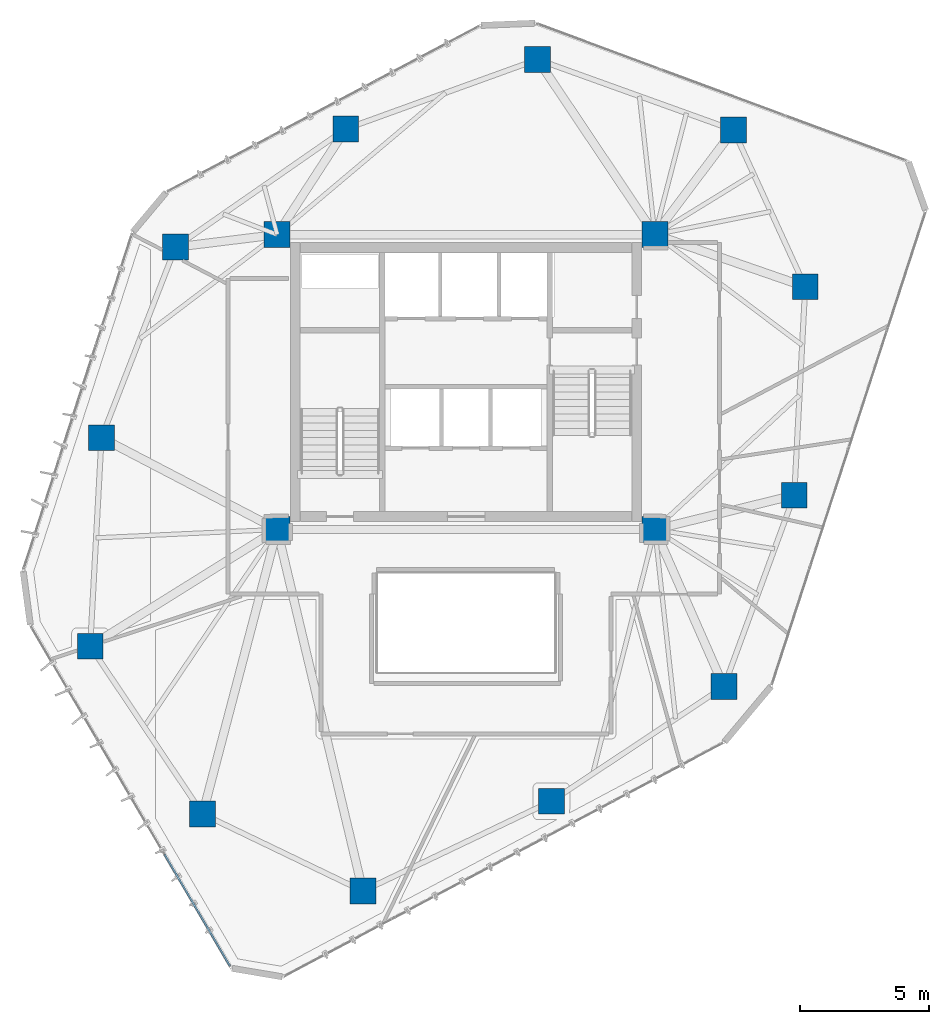
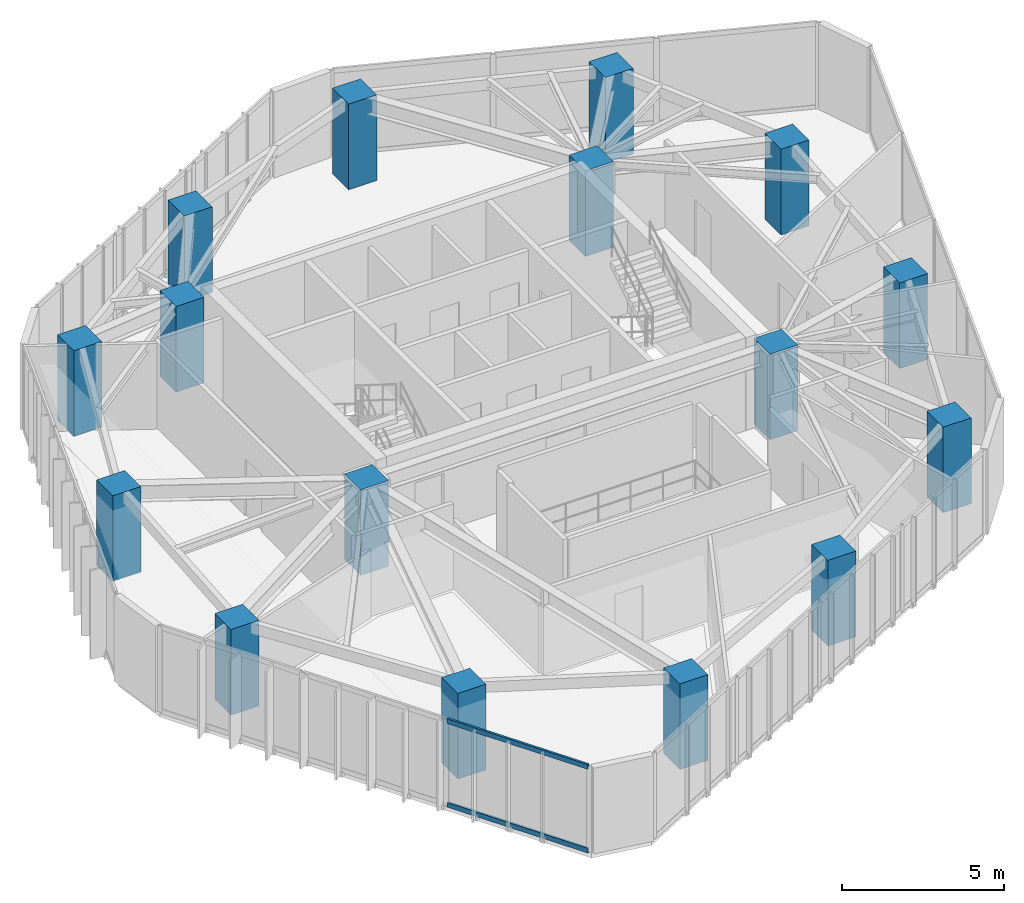
# One storey, part 1 of 19: 16 columns, 2 members, 1 element without a shape of its own.
"""IFC4 building model written with IfcOpenShell, lengths in metres."""

from ifc_helpers import new_model, si_unit, direction, frame, origin, origin_2d, place, context, subcontext, project, spatial, rectangle, hollow_rectangle, extrude, source, transform, mapped, material, layer, layer_set, material_profile, profile_set, type_object, type_shapes, element, aggregate, save


model = new_model("IFC4")

# Units and contexts
model_context = context("Model", 3, precision=1e-05, world=origin(), true_north=direction((0.0, 1.0)))
body_context = subcontext(model_context, "Body", "Model", "MODEL_VIEW")
ifc_project = project(units=[si_unit("LENGTHUNIT", "METRE"), si_unit("AREAUNIT", "SQUARE_METRE"), si_unit("VOLUMEUNIT", "CUBIC_METRE"), si_unit("PLANEANGLEUNIT", "RADIAN"), si_unit("MASSUNIT", "GRAM", prefix="KILO")], contexts=[model_context])

# Site, building, storey
site_placement = place(None, origin())
site = spatial("IfcSite", under=ifc_project, at=site_placement, CompositionType="ELEMENT")
building_placement = place(site_placement, origin())
building = spatial("IfcBuilding", under=site, at=building_placement, Name="Talar Marvaseh", CompositionType="ELEMENT")
storey_placement = place(building_placement, frame((0.0, 0.0, 174.0)))
storey = spatial("IfcBuildingStorey", under=building, at=storey_placement, Name="L45", CompositionType="ELEMENT", Elevation=174.0)

# Columns
ifc_material_1 = material(Name="Concrete C60/75", Category="concrete")
ifc_material_profile_1 = material_profile(ifc_material_1, rectangle(XDim=1.0, YDim=1.0, at=origin_2d()), Name="RC1000x1000")
ifc_profile_set_1 = profile_set([ifc_material_profile_1], Name="Concrete C60/75")
column_type = type_object("IfcColumnType", Name="Zone 3 Tube Column RC1000x1000", PredefinedType="COLUMN", material=ifc_profile_set_1)
for number, where, z_axis, x_axis, name in (
    (1, (28.76611328125, 43.66796875, 0.0), (0.0, 0.0, 1.0), (1.0, 0.0, 0.0), "L45 Zone 3 Tube Column RC1000x1000"),
    (2, (36.341064453125, 40.94189453125, 0.0), (0.0, 0.0, 1.0), (1.0, 0.0, 0.0), "L45 Zone 3 Tube Column RC1000x1000"),
    (3, (39.113037109375, 34.884033203125, 0.0), (0.0, 0.0, 1.0), (1.0, 0.0, 0.0), "L45 Zone 3 Tube Column RC1000x1000"),
    (4, (38.68896484375, 26.823974609375, 0.0), (0.0, 0.0, 1.0), (1.0, 0.0, 0.0), "L45 Zone 3 Tube Column RC1000x1000"),
    (5, (35.970947265625, 19.423095703125, 0.0), (0.0, 0.0, 1.0), (1.0, 0.0, 0.0), "L45 Zone 3 Tube Column RC1000x1000"),
    (6, (29.299072265625, 14.993896484375, 0.0), (0.0, 0.0, 1.0), (1.0, 0.0, 0.0), "L45 Zone 3 Tube Column RC1000x1000"),
    (7, (22.014892578125, 11.51904296875, 0.0), (0.0, 0.0, 1.0), (1.0, 0.0, 0.0), "L45 Zone 3 Tube Column RC1000x1000"),
    (8, (15.819091796875, 14.5009765625, 0.0), (0.0, 0.0, 1.0), (1.0, 0.0, 0.0), "L45 Zone 3 Tube Column RC1000x1000"),
    (9, (11.471923828125, 20.986083984375, 0.0), (0.0, 0.0, 1.0), (1.0, 0.0, 0.0), "L45 Zone 3 Tube Column RC1000x1000"),
    (10, (11.908935546875, 29.044921875, 0.0), (0.0, 0.0, 1.0), (1.0, 0.0, 0.0), "L45 Zone 3 Tube Column RC1000x1000"),
    (11, (14.77294921875, 36.416015625, 0.0), (0.0, 0.0, 1.0), (1.0, 0.0, 0.0), "L45 Zone 3 Tube Column RC1000x1000"),
    (12, (21.35205078125, 40.986083984375, 0.0), (0.0, 0.0, 1.0), (1.0, 0.0, 0.0), "L45 Zone 3 Tube Column RC1000x1000"),
    (13, (18.699951171875, 25.5, 0.0), (0.0, 0.0, 1.0), (1.0, 0.0, 0.0), "L45 Zone 3 Tube Column RC1000x1000"),
    (14, (33.300048828125, 25.5, 0.0), (0.0, 0.0, 1.0), (1.0, 0.0, 0.0), "L45 Zone 3 Tube Column RC1000x1000"),
    (15, (33.300048828125, 36.89990234375, 0.0), (0.0, 0.0, 1.0), (1.0, 0.0, 0.0), "L45 Zone 3 Tube Column RC1000x1000"),
    (16, (18.699951171875, 36.89990234375, 0.0), (0.0, 0.0, 1.0), (1.0, 0.0, 0.0), "L45 Zone 3 Tube Column RC1000x1000"),
):
    element("IfcColumn", number, at=place(storey_placement, frame(where, z_axis=z_axis, x_axis=x_axis)), inside=storey, type_object=column_type, Name=name, PredefinedType="COLUMN", context=body_context, shape_type="SweptSolid", body=[
        extrude(rectangle(XDim=1.0, YDim=1.0, at=origin_2d()), origin(), (0.0, 0.0, 1.0), 3.22998046875),
    ])

# Curtain wall, members
ifc_material_2 = material(Name="Architectural Aluminium", Category="aluminium")
ifc_layer = layer(ifc_material_2, 0.18994140625)
ifc_layer_set = layer_set([ifc_layer], Name="Architectural Aluminium")
curtain_wall_type = type_object("IfcCurtainWallType", Name="Unitised Solar Atelier Curtain Wall Z3", PredefinedType="NOTDEFINED", material=ifc_layer_set)
curtain_wall_placement = place(storey_placement, origin())
curtain_wall = element("IfcCurtainWall", 17, at=curtain_wall_placement, inside=storey, type_object=curtain_wall_type, Name="L45 Unitised Solar Atelier Curtain Wall Z3", PredefinedType="NOTDEFINED")
ifc_material_profile_2 = material_profile(ifc_material_2, hollow_rectangle(XDim=0.074951171875, YDim=0.179931640625, WallThickness=0.0048828125, at=origin_2d()), Name="RHS180x75x5")
ifc_profile_set_2 = profile_set([ifc_material_profile_2], Name="Architectural Aluminium")
member_type = type_object("IfcMemberType", Name="Unitised Curtain Wall Transom RHS180x75x5", PredefinedType="USERDEFINED", material=ifc_profile_set_2)
shared_shape = source(origin(), body_context, "Body", "SweptSolid", [
    extrude(hollow_rectangle(XDim=0.074951171875, YDim=0.179931640625, WallThickness=0.0048828125, at=origin_2d()), origin(), (0.0, 0.0, 1.0), 5.000244140625),
])
type_shapes(member_type, [shared_shape])
member_1_placement = place(storey_placement, frame((16.873779296875, 8.625244140625, 0.03759765625), z_axis=(-0.505239512109, 0.862979162787, 0.0), x_axis=(-0.862979162787, -0.505239512109, 0.0)))
member_1 = element("IfcMember", 18, at=member_1_placement, type_object=member_type, Name="CW-Z3 transom 1.1", ObjectType="TRANSOM", PredefinedType="USERDEFINED", context=body_context, shape_type="MappedRepresentation", body=[
    mapped(shared_shape, transform((0.0, 0.0, 0.0), x_axis=(1.0, 0.0, 0.0), y_axis=(0.0, 1.0, 0.0), z_axis=(0.0, 0.0, 1.0), scale=1.0)),
])
member_2_placement = place(storey_placement, frame((16.873779296875, 8.625244140625, 3.1923828125), z_axis=(-0.505239512109, 0.862979162787, 0.0), x_axis=(-0.862979162787, -0.505239512109, 0.0)))
member_2 = element("IfcMember", 19, at=member_2_placement, type_object=member_type, Name="CW-Z3 transom 1.2", ObjectType="TRANSOM", PredefinedType="USERDEFINED", context=body_context, shape_type="MappedRepresentation", body=[
    mapped(shared_shape, transform((0.0, 0.0, 0.0), x_axis=(1.0, 0.0, 0.0), y_axis=(0.0, 1.0, 0.0), z_axis=(0.0, 0.0, 1.0), scale=1.0)),
])
aggregate(curtain_wall, [member_1, member_2])

save(model, "model.ifc")
